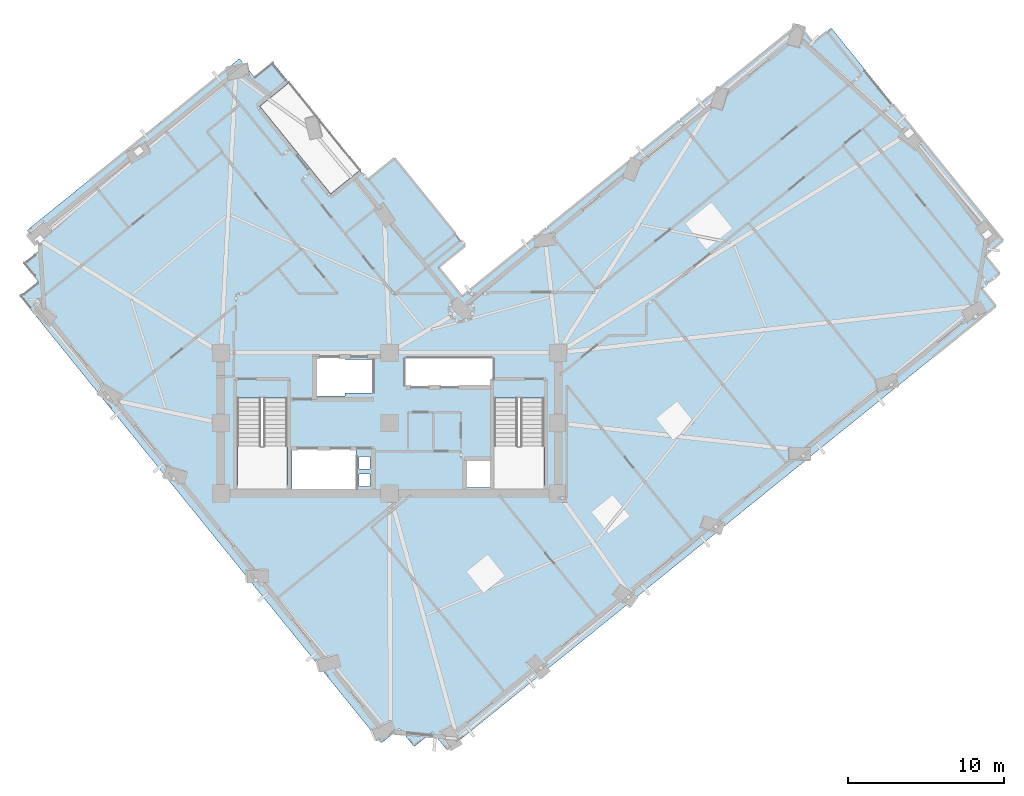
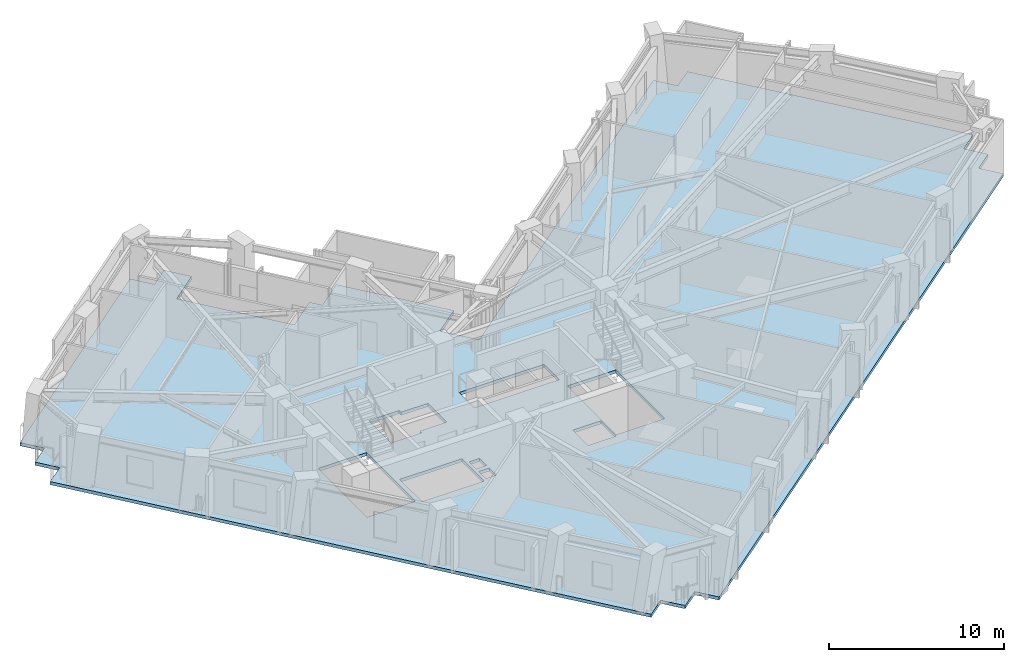
# One storey, part 3 of 14: 1 slab.
"""IFC4 building model written with IfcOpenShell, lengths in metres."""

from ifc_helpers import new_model, si_unit, direction, frame, origin, place, context, subcontext, project, spatial, polyline, outline, extrude, material, layer, layer_set, type_object, element, save


model = new_model("IFC4")

# Units and contexts
model_context = context("Model", 3, precision=1e-05, world=origin(), true_north=direction((0.0, 1.0)))
body_context = subcontext(model_context, "Body", "Model", "MODEL_VIEW")
ifc_project = project(units=[si_unit("LENGTHUNIT", "METRE"), si_unit("AREAUNIT", "SQUARE_METRE"), si_unit("VOLUMEUNIT", "CUBIC_METRE"), si_unit("PLANEANGLEUNIT", "RADIAN"), si_unit("MASSUNIT", "GRAM", prefix="KILO")], contexts=[model_context])

# Site, building, storey
site_placement = place(None, origin())
site = spatial("IfcSite", under=ifc_project, at=site_placement, CompositionType="ELEMENT")
building_placement = place(site_placement, origin())
building = spatial("IfcBuilding", under=site, at=building_placement, Name="Gaonmaruhae Medical Tower", CompositionType="ELEMENT")
storey_placement = place(building_placement, frame((0.0, 0.0, 189.800048828125)))
storey = spatial("IfcBuildingStorey", under=building, at=storey_placement, Name="L45", CompositionType="ELEMENT", Elevation=189.800048828125)

# Slab
ifc_material = material(Name="Concrete C40/50", Category="concrete")
ifc_layer = layer(ifc_material, 0.219970703125)
ifc_layer_set = layer_set([ifc_layer], Name="Concrete C40/50")
slab_type = type_object("IfcSlabType", Name="FS-220 Clinical Ward Composite Floor Slab", PredefinedType="FLOOR", material=ifc_layer_set)
slab_placement = place(storey_placement, frame((0.0, 0.0, -0.219970703125)))
element("IfcSlab", 1, at=slab_placement, inside=storey, type_object=slab_type, Name="L45 Structural Slab 1", PredefinedType="FLOOR", context=body_context, shape_type="SweptSolid", body=[
    extrude(outline(polyline([(50.97900390625, 37.8193359375), (51.921875, 36.65283203125), (53.08837890625, 37.595703125), (64.089599609375, 23.986083984375), (62.923095703125, 23.043212890625), (63.8662109375, 21.876708984375), (62.699462890625, 20.93359375), (63.642578125, 19.76708984375), (28.49072265625, -8.6474609375), (27.547607421875, -7.48095703125), (26.381103515625, -8.423828125), (25.438232421875, -7.25732421875), (24.271728515625, -8.2001953125), (1.1376953125, 20.418701171875), (2.30419921875, 21.36181640625), (1.361083984375, 22.5283203125), (2.52783203125, 23.47119140625), (1.584716796875, 24.6376953125), (15.1943359375, 35.63916015625), (16.137451171875, 34.472412109375), (17.303955078125, 35.41552734375), (18.37255859375, 34.093505859375), (16.506103515625, 32.584716796875), (21.032470703125, 26.9853515625), (22.89892578125, 28.493896484375), (23.40185546875, 27.871826171875), (25.11279296875, 29.2548828125), (29.638916015625, 23.655517578125), (27.927978515625, 22.2724609375), (29.436767578125, 20.406005859375), (50.97900390625, 37.8193359375)]), holes=[polyline([(23.550048828125, 8.25), (22.85009765625, 8.25), (22.85009765625, 9.050048828125), (23.550048828125, 9.050048828125), (23.550048828125, 8.25)]), polyline([(31.425048828125, 9.925048828125), (31.425048828125, 8.175048828125), (29.574951171875, 8.175048828125), (29.574951171875, 9.925048828125), (31.425048828125, 9.925048828125)]), polyline([(22.64990234375, 10.625), (22.64990234375, 8.074951171875), (18.550048828125, 8.074951171875), (18.550048828125, 10.625), (22.64990234375, 10.625)]), polyline([(23.550048828125, 9.35009765625), (22.85009765625, 9.35009765625), (22.85009765625, 10.14990234375), (23.550048828125, 10.14990234375), (23.550048828125, 9.35009765625)]), polyline([(15.050048828125, 13.889892578125), (18.25, 13.889892578125), (18.25, 8.300048828125), (15.050048828125, 8.300048828125), (15.050048828125, 13.889892578125)]), polyline([(31.5, 13.889892578125), (34.699951171875, 13.889892578125), (34.699951171875, 8.300048828125), (31.5, 8.300048828125), (31.5, 13.889892578125)]), polyline([(21.949951171875, 14.22509765625), (21.949951171875, 14.02490234375), (19.949951171875, 14.02490234375), (19.949951171875, 16.574951171875), (21.949951171875, 16.574951171875), (21.949951171875, 16.375), (23.72509765625, 16.375), (23.72509765625, 14.22509765625), (21.949951171875, 14.22509765625)]), polyline([(31.425048828125, 16.425048828125), (31.425048828125, 14.675048828125), (25.824951171875, 14.675048828125), (25.824951171875, 16.425048828125), (31.425048828125, 16.425048828125)])]), origin(), (0.0, 0.0, 1.0), 0.219970703125),
])

save(model, "model.ifc")
